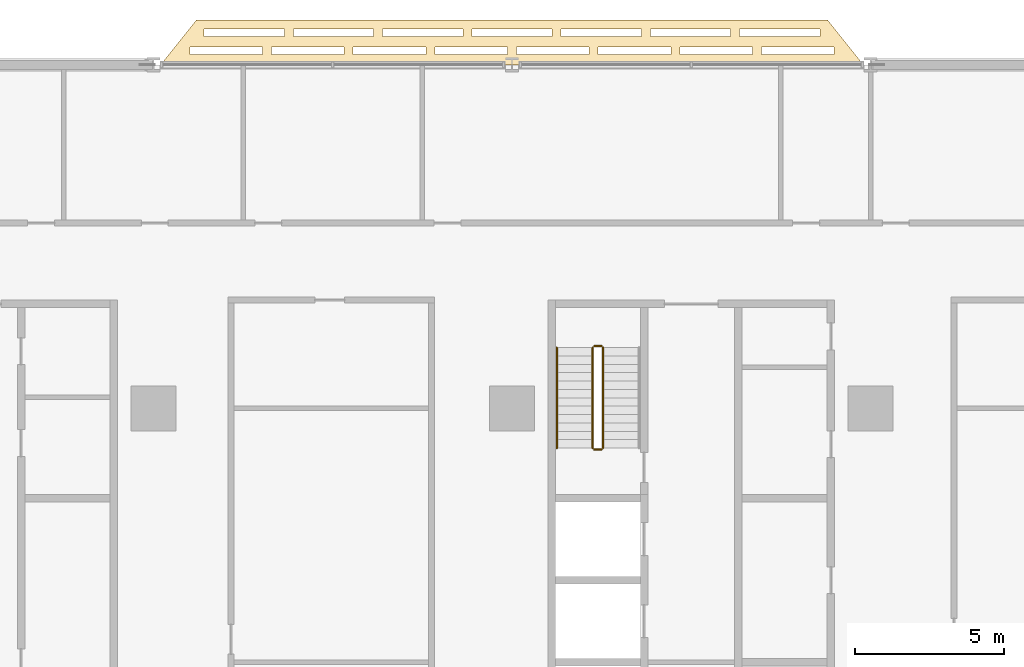
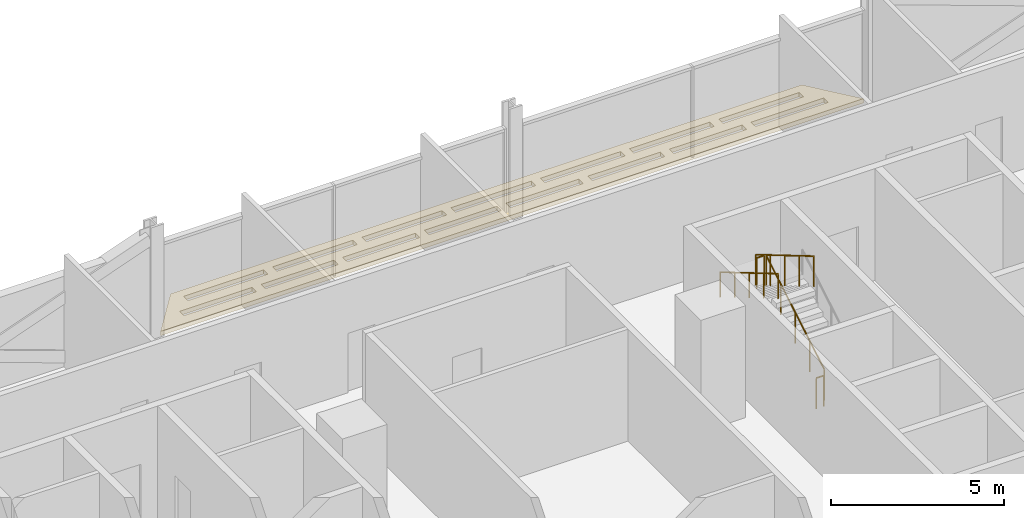
# One storey, part 28 of 30: 5 railings, 1 covering.
"""IFC4 building model written with IfcOpenShell, lengths in metres."""

from ifc_helpers import new_model, si_unit, direction, frame, origin, origin_2d, place, context, subcontext, project, spatial, polyline, circle, outline, extrude, material, layer, layer_set, type_object, element, save


model = new_model("IFC4")

# Units and contexts
model_context = context("Model", 3, precision=1e-05, world=origin(), true_north=direction((0.0, 1.0)))
body_context = subcontext(model_context, "Body", "Model", "MODEL_VIEW")
ifc_project = project(units=[si_unit("LENGTHUNIT", "METRE"), si_unit("AREAUNIT", "SQUARE_METRE"), si_unit("VOLUMEUNIT", "CUBIC_METRE"), si_unit("PLANEANGLEUNIT", "RADIAN"), si_unit("MASSUNIT", "GRAM", prefix="KILO")], contexts=[model_context])

# Site, building, storey
site_placement = place(None, origin())
site = spatial("IfcSite", under=ifc_project, at=site_placement, CompositionType="ELEMENT")
building_placement = place(site_placement, origin())
building = spatial("IfcBuilding", under=site, at=building_placement, Name="Mahtab Terrace Research Tower", CompositionType="ELEMENT")
storey_placement = place(building_placement, frame((0.0, 0.0, 50.300048828125)))
storey = spatial("IfcBuildingStorey", under=building, at=storey_placement, Name="L11", CompositionType="ELEMENT", Elevation=50.300048828125)

# Covering
ifc_material_1 = material(Name="Black anodised aluminium", Category="aluminium")
ifc_layer = layer(ifc_material_1, 0.14990234375)
ifc_layer_set = layer_set([ifc_layer], Name="Horizontal sunshade band")
covering_type = type_object("IfcCoveringType", Name="Horizontal sunshade band", PredefinedType="CLADDING", material=ifc_layer_set)
covering_placement = place(storey_placement, frame((0.0, 0.0, -0.150146484375)))
element("IfcCovering", 1, at=covering_placement, inside=storey, type_object=covering_type, Name="Sunshade band L11 5", PredefinedType="CLADDING", context=body_context, shape_type="SweptSolid", body=[
    extrude(outline(polyline([(29.761962890625, 23.0), (6.238037109375, 23.0), (7.43798828125, 24.5), (28.56201171875, 24.5), (29.761962890625, 23.0)]), holes=[polyline([(28.781982421875, 23.35009765625), (26.34912109375, 23.35009765625), (26.34912109375, 23.60009765625), (28.781982421875, 23.60009765625), (28.781982421875, 23.35009765625)]), polyline([(26.049072265625, 23.35009765625), (23.615966796875, 23.35009765625), (23.615966796875, 23.60009765625), (26.049072265625, 23.60009765625), (26.049072265625, 23.35009765625)]), polyline([(23.31591796875, 23.35009765625), (20.883056640625, 23.35009765625), (20.883056640625, 23.60009765625), (23.31591796875, 23.60009765625), (23.31591796875, 23.35009765625)]), polyline([(20.5830078125, 23.35009765625), (18.14990234375, 23.35009765625), (18.14990234375, 23.60009765625), (20.5830078125, 23.60009765625), (20.5830078125, 23.35009765625)]), polyline([(17.85009765625, 23.35009765625), (15.4169921875, 23.35009765625), (15.4169921875, 23.60009765625), (17.85009765625, 23.60009765625), (17.85009765625, 23.35009765625)]), polyline([(15.116943359375, 23.35009765625), (12.68408203125, 23.35009765625), (12.68408203125, 23.60009765625), (15.116943359375, 23.60009765625), (15.116943359375, 23.35009765625)]), polyline([(12.384033203125, 23.35009765625), (9.950927734375, 23.35009765625), (9.950927734375, 23.60009765625), (12.384033203125, 23.60009765625), (12.384033203125, 23.35009765625)]), polyline([(9.65087890625, 23.35009765625), (7.218017578125, 23.35009765625), (7.218017578125, 23.60009765625), (9.65087890625, 23.60009765625), (9.65087890625, 23.35009765625)]), polyline([(28.302001953125, 23.949951171875), (25.615966796875, 23.949951171875), (25.615966796875, 24.199951171875), (28.302001953125, 24.199951171875), (28.302001953125, 23.949951171875)]), polyline([(25.31591796875, 23.949951171875), (22.62890625, 23.949951171875), (22.62890625, 24.199951171875), (25.31591796875, 24.199951171875), (25.31591796875, 23.949951171875)]), polyline([(22.3291015625, 23.949951171875), (19.64306640625, 23.949951171875), (19.64306640625, 24.199951171875), (22.3291015625, 24.199951171875), (22.3291015625, 23.949951171875)]), polyline([(19.343017578125, 23.949951171875), (16.656982421875, 23.949951171875), (16.656982421875, 24.199951171875), (19.343017578125, 24.199951171875), (19.343017578125, 23.949951171875)]), polyline([(16.35693359375, 23.949951171875), (13.6708984375, 23.949951171875), (13.6708984375, 24.199951171875), (16.35693359375, 24.199951171875), (16.35693359375, 23.949951171875)]), polyline([(13.37109375, 23.949951171875), (10.68408203125, 23.949951171875), (10.68408203125, 24.199951171875), (13.37109375, 24.199951171875), (13.37109375, 23.949951171875)]), polyline([(10.384033203125, 23.949951171875), (7.697998046875, 23.949951171875), (7.697998046875, 24.199951171875), (10.384033203125, 24.199951171875), (10.384033203125, 23.949951171875)])]), origin(), (0.0, 0.0, 1.0), 0.150146484375),
])

# Railings
ifc_material_2 = material(Name="Stainless steel AISI 304", Category="steel")
railing_type_1 = type_object("IfcRailingType", Name="Stair guard 1100", PredefinedType="GUARDRAIL", material=ifc_material_2)
railing_1_placement = place(storey_placement, frame((21.050048828125, 10.175048828125, 0.165283203125)))
element("IfcRailing", 2, at=railing_1_placement, inside=storey, type_object=railing_type_1, Name="L11 ST3 stair guard 1", PredefinedType="GUARDRAIL", context=body_context, shape_type="SweptSolid", body=[
    extrude(circle(Radius=0.02392578125, at=origin_2d()), frame((0.0, 0.0, 1.076171875), z_axis=(0.0, 0.861011212953, 0.508585972249), x_axis=(-1.0, 0.0, 0.0)), (0.0, 0.0, 1.0), 3.90234375),
    extrude(circle(Radius=0.02099609375, at=origin_2d()), origin(), (0.0, 0.0, 1.0), 1.052001953125),
    extrude(circle(Radius=0.02099609375, at=origin_2d()), frame((0.0, 0.83984375, 0.49609375)), (0.0, 0.0, 1.0), 1.052001953125),
    extrude(circle(Radius=0.02099609375, at=origin_2d()), frame((0.0, 1.679931640625, 0.9921875)), (0.0, 0.0, 1.0), 1.052001953125),
    extrude(circle(Radius=0.02099609375, at=origin_2d()), frame((0.0, 2.52001953125, 1.488525390625)), (0.0, 0.0, 1.0), 1.052001953125),
    extrude(circle(Radius=0.02099609375, at=origin_2d()), frame((0.0, 3.35986328125, 1.984619140625)), (0.0, 0.0, 1.0), 1.052001953125),
])
railing_2_placement = place(storey_placement, frame((21.0, 13.5849609375, 2.14990234375)))
element("IfcRailing", 3, at=railing_2_placement, inside=storey, type_object=railing_type_1, Name="L11 ST3 stair guard 2", PredefinedType="GUARDRAIL", context=body_context, shape_type="SweptSolid", body=[
    extrude(circle(Radius=0.02392578125, at=origin_2d()), frame((0.0, 0.0, 1.076171875), z_axis=(-1.0, 0.0, 0.0), x_axis=(0.0, -1.0, 0.0)), (0.0, 0.0, 1.0), 0.25),
    extrude(circle(Radius=0.02099609375, at=origin_2d()), origin(), (0.0, 0.0, 1.0), 1.052001953125),
    extrude(circle(Radius=0.02099609375, at=origin_2d()), frame((-0.25, 0.0, 0.0)), (0.0, 0.0, 1.0), 1.052001953125),
])
railing_3_placement = place(storey_placement, frame((20.699951171875, 13.534912109375, 2.3154296875)))
element("IfcRailing", 4, at=railing_3_placement, inside=storey, type_object=railing_type_1, Name="L11 ST3 stair guard 3", PredefinedType="GUARDRAIL", context=body_context, shape_type="SweptSolid", body=[
    extrude(circle(Radius=0.02392578125, at=origin_2d()), frame((0.0, 0.0, 1.076171875), z_axis=(0.0, -0.861011212953, 0.508585972249), x_axis=(1.0, 0.0, 0.0)), (0.0, 0.0, 1.0), 3.90234375),
    extrude(circle(Radius=0.02099609375, at=origin_2d()), origin(), (0.0, 0.0, 1.0), 1.052001953125),
    extrude(circle(Radius=0.02099609375, at=origin_2d()), frame((0.0, -0.83984375, 0.49609375)), (0.0, 0.0, 1.0), 1.052001953125),
    extrude(circle(Radius=0.02099609375, at=origin_2d()), frame((0.0, -1.679931640625, 0.9921875)), (0.0, 0.0, 1.0), 1.052001953125),
    extrude(circle(Radius=0.02099609375, at=origin_2d()), frame((0.0, -2.52001953125, 1.488525390625)), (0.0, 0.0, 1.0), 1.052001953125),
    extrude(circle(Radius=0.02099609375, at=origin_2d()), frame((0.0, -3.35986328125, 1.984619140625)), (0.0, 0.0, 1.0), 1.052001953125),
])
railing_4_placement = place(storey_placement, frame((21.0, 10.125, 0.0)))
element("IfcRailing", 5, at=railing_4_placement, inside=storey, type_object=railing_type_1, Name="L11 ST3 stair guard 4", PredefinedType="GUARDRAIL", context=body_context, shape_type="SweptSolid", body=[
    extrude(circle(Radius=0.02392578125, at=origin_2d()), frame((0.0, 0.0, 1.076171875), z_axis=(-1.0, 0.0, 0.0), x_axis=(0.0, -1.0, 0.0)), (0.0, 0.0, 1.0), 0.25),
    extrude(circle(Radius=0.02099609375, at=origin_2d()), origin(), (0.0, 0.0, 1.0), 1.052001953125),
    extrude(circle(Radius=0.02099609375, at=origin_2d()), frame((-0.25, 0.0, 0.0)), (0.0, 0.0, 1.0), 1.052001953125),
])
railing_type_2 = type_object("IfcRailingType", Name="Stair handrail 900", PredefinedType="HANDRAIL", material=ifc_material_2)
railing_5_placement = place(storey_placement, frame((19.5, 13.534912109375, 2.3154296875)))
element("IfcRailing", 6, at=railing_5_placement, inside=storey, type_object=railing_type_2, Name="L11 ST3 stair handrail 2", PredefinedType="HANDRAIL", context=body_context, shape_type="SweptSolid", body=[
    extrude(circle(Radius=0.02392578125, at=origin_2d()), frame((0.0, 0.0, 0.8759765625), z_axis=(0.0, -0.861011212953, 0.508585972249), x_axis=(1.0, 0.0, 0.0)), (0.0, 0.0, 1.0), 3.90234375),
    extrude(circle(Radius=0.02099609375, at=origin_2d()), origin(), (0.0, 0.0, 1.0), 0.851806640625),
    extrude(circle(Radius=0.02099609375, at=origin_2d()), frame((0.0, -0.83984375, 0.49609375)), (0.0, 0.0, 1.0), 0.851806640625),
    extrude(circle(Radius=0.02099609375, at=origin_2d()), frame((0.0, -1.679931640625, 0.9921875)), (0.0, 0.0, 1.0), 0.851806640625),
    extrude(circle(Radius=0.02099609375, at=origin_2d()), frame((0.0, -2.52001953125, 1.488525390625)), (0.0, 0.0, 1.0), 0.851806640625),
    extrude(circle(Radius=0.02099609375, at=origin_2d()), frame((0.0, -3.35986328125, 1.984619140625)), (0.0, 0.0, 1.0), 0.851806640625),
])

save(model, "model.ifc")
